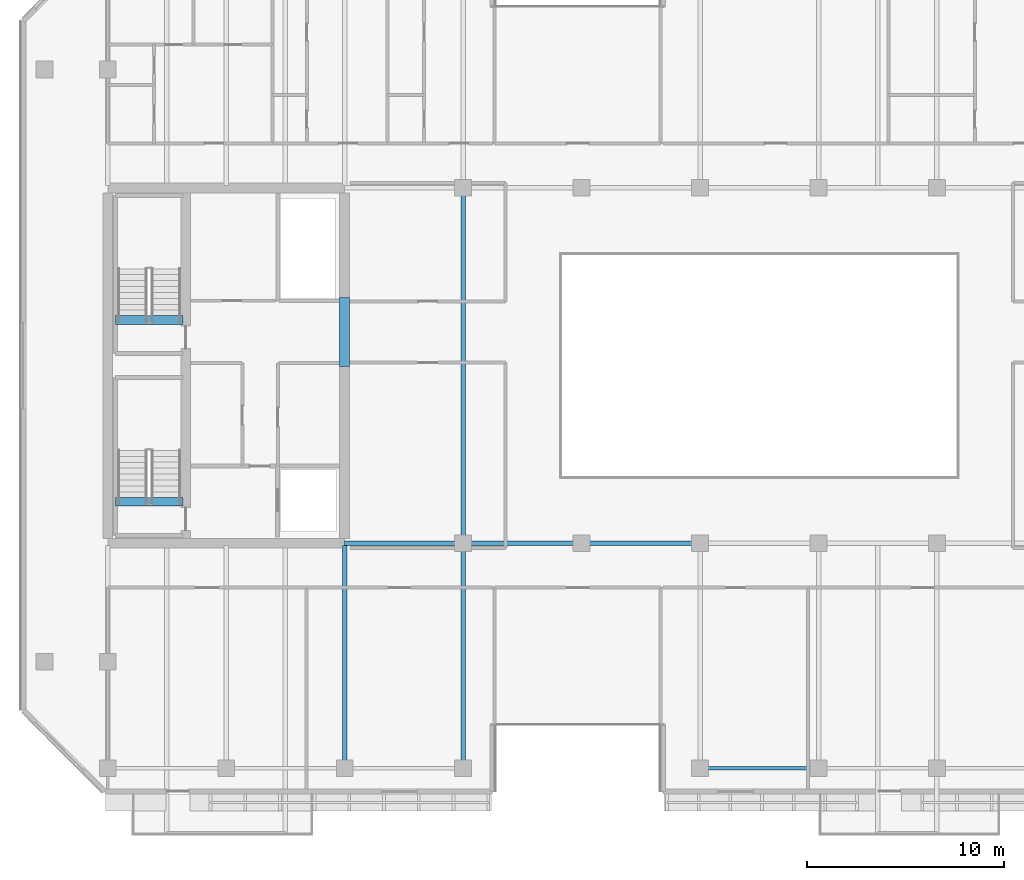
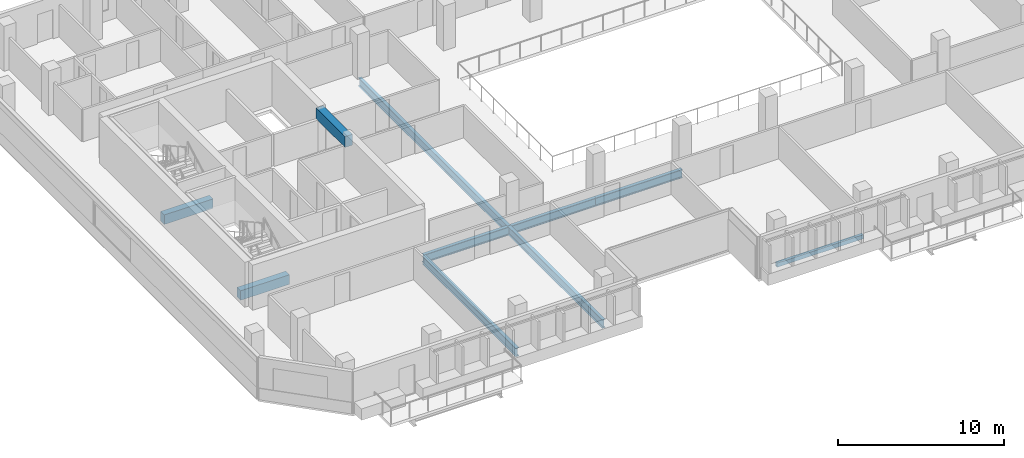
# One storey, part 3 of 19: 10 beams.
"""IFC4 building model written with IfcOpenShell, lengths in metres."""

from ifc_helpers import new_model, si_unit, direction, frame, origin, origin_2d, place, context, subcontext, project, spatial, rectangle, hollow_rectangle, i_section, extrude, material, material_profile, profile_set, type_object, element, save


model = new_model("IFC4")

# Units and contexts
model_context = context("Model", 3, precision=1e-05, world=origin(), true_north=direction((0.0, 1.0)))
body_context = subcontext(model_context, "Body", "Model", "MODEL_VIEW")
ifc_project = project(units=[si_unit("LENGTHUNIT", "METRE"), si_unit("AREAUNIT", "SQUARE_METRE"), si_unit("VOLUMEUNIT", "CUBIC_METRE"), si_unit("PLANEANGLEUNIT", "RADIAN"), si_unit("MASSUNIT", "GRAM", prefix="KILO")], contexts=[model_context])

# Site, building, storey
site_placement = place(None, origin())
site = spatial("IfcSite", under=ifc_project, at=site_placement, CompositionType="ELEMENT")
building_placement = place(site_placement, origin())
building = spatial("IfcBuilding", under=site, at=building_placement, Name="Tanjung Sevakor Pilgrim Tower", CompositionType="ELEMENT")
storey_placement = place(building_placement, frame((0.0, 0.0, 155.10009765625)))
storey = spatial("IfcBuildingStorey", under=building, at=storey_placement, Name="L43", CompositionType="ELEMENT", Elevation=155.10009765625)

# Beams
ifc_material_1 = material(Name="Steel S355J2", Category="steel")
ifc_material_profile_1 = material_profile(ifc_material_1, i_section(OverallWidth=0.230224609375, OverallDepth=0.6171875, WebThickness=0.01318359375, FlangeThickness=0.022216796875, FilletRadius=0.0126953125, at=origin_2d()))
ifc_profile_set_1 = profile_set([ifc_material_profile_1], Name="Steel S355J2")
beam_type_1 = type_object("IfcBeamType", Name="BM-B-G3-UB_610x229x140", PredefinedType="BEAM", material=ifc_profile_set_1)
for number, where, z_axis, x_axis, name in (
    (1, (36.0, 24.60009765625, -0.52880859375), (1.0, 0.0, 0.0), (0.0, 1.0, 0.0), "L43 Primary Floor Girder MAIN Y246-01"),
    (2, (42.0, 24.60009765625, -0.52880859375), (1.0, 0.0, 0.0), (0.0, 1.0, 0.0), "L43 Primary Floor Girder MAIN Y246-02"),
    (3, (48.0, 24.60009765625, -0.52880859375), (1.0, 0.0, 0.0), (0.0, 1.0, 0.0), "L43 Primary Floor Girder MAIN Y246-03"),
):
    element("IfcBeam", number, at=place(storey_placement, frame(where, z_axis=z_axis, x_axis=x_axis)), inside=storey, type_object=beam_type_1, Name=name, PredefinedType="BEAM", context=body_context, shape_type="SweptSolid", body=[
        extrude(i_section(OverallWidth=0.230224609375, OverallDepth=0.6171875, WebThickness=0.01318359375, FlangeThickness=0.022216796875, FilletRadius=0.0126953125, at=origin_2d()), origin(), (0.0, 0.0, 1.0), 6.0),
    ])
ifc_material_2 = material(Name="Steel S355J2", Category="steel")
ifc_material_profile_2 = material_profile(ifc_material_2, i_section(OverallWidth=0.22900390625, OverallDepth=0.6123046875, WebThickness=0.011962890625, FlangeThickness=0.01953125, FilletRadius=0.0126953125, at=origin_2d()))
ifc_profile_set_2 = profile_set([ifc_material_profile_2], Name="Steel S355J2")
beam_type_2 = type_object("IfcBeamType", Name="BM-B-G4-UB_610x229x125", PredefinedType="BEAM", material=ifc_profile_set_2)
beam_1_placement = place(storey_placement, frame((36.0, 13.199951171875, -0.526123046875), z_axis=(0.0, 1.0, 0.0), x_axis=(-1.0, 0.0, 0.0)))
element("IfcBeam", 4, at=beam_1_placement, inside=storey, type_object=beam_type_2, Name="L43 MAIN Girder 005", PredefinedType="BEAM", context=body_context, shape_type="SweptSolid", body=[
    extrude(i_section(OverallWidth=0.22900390625, OverallDepth=0.6123046875, WebThickness=0.011962890625, FlangeThickness=0.01953125, FilletRadius=0.0126953125, at=origin_2d()), origin(), (0.0, 0.0, 1.0), 11.284912109375),
])
beam_2_placement = place(storey_placement, frame((42.0, 13.199951171875, -0.526123046875), z_axis=(0.0, 1.0, 0.0), x_axis=(-1.0, 0.0, 0.0)))
element("IfcBeam", 5, at=beam_2_placement, inside=storey, type_object=beam_type_2, Name="L43 MAIN Girder 007", PredefinedType="BEAM", context=body_context, shape_type="SweptSolid", body=[
    extrude(i_section(OverallWidth=0.22900390625, OverallDepth=0.6123046875, WebThickness=0.011962890625, FlangeThickness=0.01953125, FilletRadius=0.0126953125, at=origin_2d()), origin(), (0.0, 0.0, 1.0), 11.400146484375),
])
beam_3_placement = place(storey_placement, frame((42.0, 24.60009765625, -0.526123046875), z_axis=(0.0, 1.0, 0.0), x_axis=(-1.0, 0.0, 0.0)))
element("IfcBeam", 6, at=beam_3_placement, inside=storey, type_object=beam_type_2, Name="L43 MAIN Girder 008", PredefinedType="BEAM", context=body_context, shape_type="SweptSolid", body=[
    extrude(i_section(OverallWidth=0.22900390625, OverallDepth=0.6123046875, WebThickness=0.011962890625, FlangeThickness=0.01953125, FilletRadius=0.0126953125, at=origin_2d()), origin(), (0.0, 0.0, 1.0), 18.0),
])
ifc_material_3 = material(Name="Concrete C60/75", Category="concrete")
ifc_material_profile_3 = material_profile(ifc_material_3, rectangle(XDim=0.5, YDim=0.800048828125, at=origin_2d()))
ifc_profile_set_3 = profile_set([ifc_material_profile_3], Name="Concrete C60/75")
beam_type_3 = type_object("IfcBeamType", Name="BM-B-LN2-RC-BM_500x800", PredefinedType="LINTEL", material=ifc_profile_set_3)
beam_4_placement = place(storey_placement, frame((36.0, 33.550048828125, 2.679931640625), z_axis=(0.0, 1.0, 0.0), x_axis=(-1.0, 0.0, 0.0)))
element("IfcBeam", 7, at=beam_4_placement, inside=storey, type_object=beam_type_3, Name="L43 W Core Coupling Lintel", PredefinedType="LINTEL", context=body_context, shape_type="SweptSolid", body=[
    extrude(rectangle(XDim=0.5, YDim=0.800048828125, at=origin_2d()), origin(), (0.0, 0.0, 1.0), 3.5),
])
ifc_material_4 = material(Name="Concrete C60/75", Category="concrete")
ifc_material_profile_4 = material_profile(ifc_material_4, rectangle(XDim=0.449951171875, YDim=0.699951171875, at=origin_2d()))
ifc_profile_set_4 = profile_set([ifc_material_profile_4], Name="Concrete C60/75")
beam_type_4 = type_object("IfcBeamType", Name="BM-B-LN3-RC-BM_450x700", PredefinedType="LINTEL", material=ifc_profile_set_4)
for number, where, z_axis, x_axis, name in (
    (8, (24.39990234375, 26.699951171875, -0.35009765625), (1.0, 0.0, 0.0), (0.0, 1.0, 0.0), "L43 TS-W1 Stair Threshold Beam"),
    (9, (24.39990234375, 35.89990234375, -0.35009765625), (1.0, 0.0, 0.0), (0.0, 1.0, 0.0), "L43 TS-W2 Stair Threshold Beam"),
):
    element("IfcBeam", number, at=place(storey_placement, frame(where, z_axis=z_axis, x_axis=x_axis)), inside=storey, type_object=beam_type_4, Name=name, PredefinedType="LINTEL", context=body_context, shape_type="SweptSolid", body=[
        extrude(rectangle(XDim=0.449951171875, YDim=0.699951171875, at=origin_2d()), origin(), (0.0, 0.0, 1.0), 3.400146484375),
    ])
ifc_material_5 = material(Name="Steel S355J2", Category="steel")
ifc_material_profile_5 = material_profile(ifc_material_5, hollow_rectangle(XDim=0.199951171875, YDim=0.300048828125, WallThickness=0.012451171875, at=origin_2d()))
ifc_profile_set_5 = profile_set([ifc_material_profile_5], Name="Steel S355J2")
beam_type_5 = type_object("IfcBeamType", Name="BM-B-SP3-RHS_300x200x12.5", PredefinedType="SPANDREL", material=ifc_profile_set_5)
beam_5_placement = place(storey_placement, frame((54.0, 13.199951171875, -0.3701171875), z_axis=(1.0, 0.0, 0.0), x_axis=(0.0, 1.0, 0.0)))
element("IfcBeam", 10, at=beam_5_placement, inside=storey, type_object=beam_type_5, Name="L43 Spandrel MAIN S-07", PredefinedType="SPANDREL", context=body_context, shape_type="SweptSolid", body=[
    extrude(hollow_rectangle(XDim=0.199951171875, YDim=0.300048828125, WallThickness=0.012451171875, at=origin_2d()), origin(), (0.0, 0.0, 1.0), 6.0),
])

save(model, "model.ifc")
